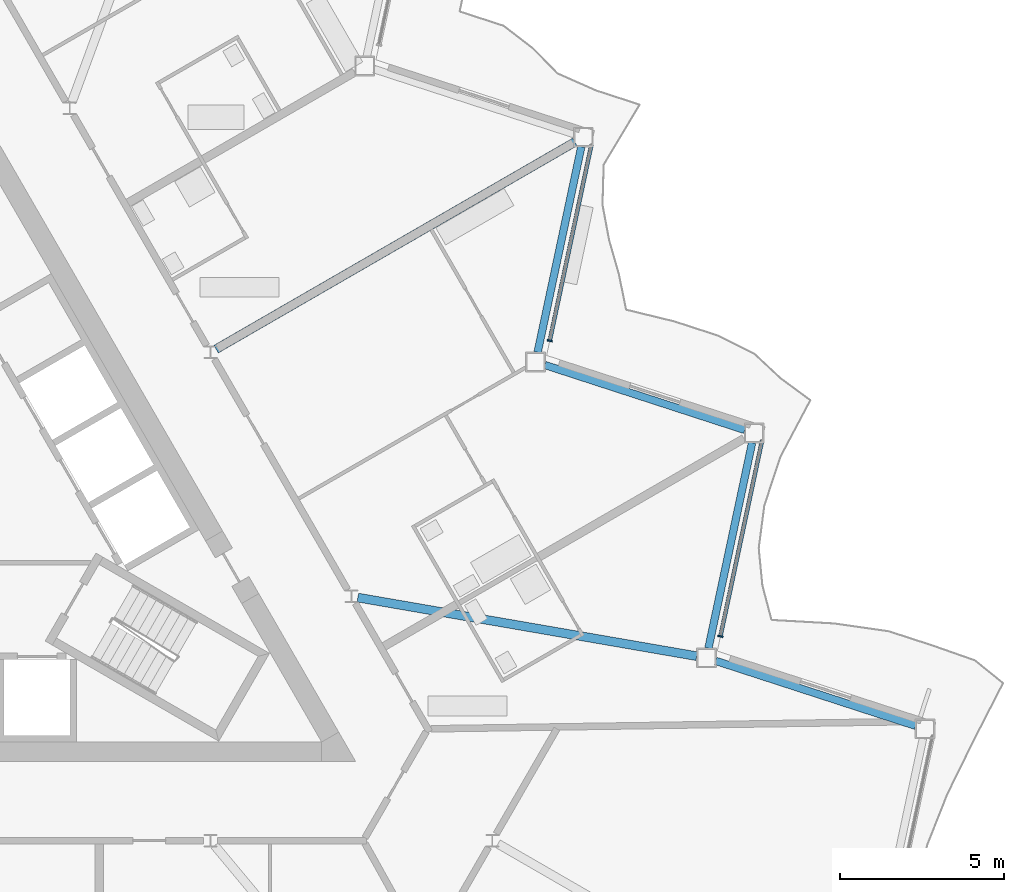
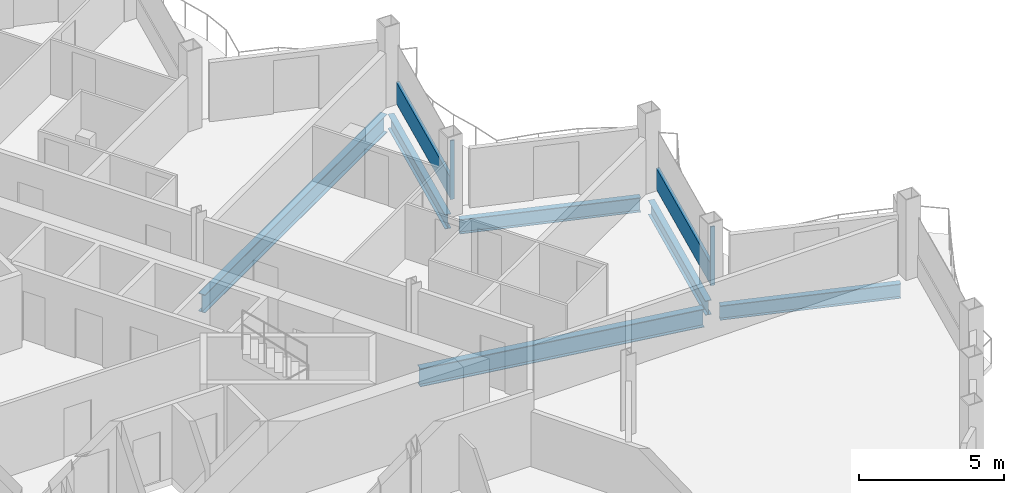
# One storey, part 9 of 26: 6 beams, 4 members, 2 elements without a shape of their own.
"""IFC4 building model written with IfcOpenShell, lengths in metres."""

import ifcopenshell
import ifcopenshell.guid

model = None  # the IFC model being written
_history = None  # IfcOwnerHistory: only IFC2X3 demands one
_inside = {}  # id of a spatial element -> (the spatial element, [elements in it])
_under = {}  # id of a project, library or spatial element -> (it, [spatial elements below it])
_declared = {}  # id of a project -> (the project, [libraries it declares])
_typed = {}  # id of a type object -> (the type object, [elements of that type])
_made_of = {}  # id of a material, layer set ... -> (it, [elements and type objects made of it])


def new_model(schema):
    """Start an empty IFC model of exactly this schema.

    Asked for "IFC4X3", IfcOpenShell would pick the latest addendum, in which some entities
    have other attributes; the version numbers below select the first issue.
    IFC2X3 requires an IfcOwnerHistory on every rooted entity: one is made here for all.
    """
    global model, _history
    if schema == "IFC4X3":
        model = ifcopenshell.file(schema_version=(4, 3, 0, 0))
    else:
        model = ifcopenshell.file(schema=schema)
    _inside.clear()
    _under.clear()
    _declared.clear()
    _typed.clear()
    _made_of.clear()
    _history = None
    if model.schema == "IFC2X3":
        org = make("IfcOrganization", Name="unknown")
        user = make(
            "IfcPersonAndOrganization",
            ThePerson=make("IfcPerson", FamilyName="unknown"),
            TheOrganization=org,
        )
        app = make(
            "IfcApplication",
            ApplicationDeveloper=org,
            Version="unknown",
            ApplicationFullName="unknown",
            ApplicationIdentifier="unknown",
        )
        _history = make(
            "IfcOwnerHistory",
            OwningUser=user,
            OwningApplication=app,
            ChangeAction="ADDED",
            CreationDate=0,
        )
    return model


def make(cls, **values):
    """One entity of the class cls with the attributes given. An attribute that is None is left unset."""
    return model.create_entity(
        cls, **{name: value for name, value in values.items() if value is not None}
    )


def rooted(cls, **values):
    """An entity with a GlobalId (a new one), such as an element, a storey or a relation."""
    return make(cls, GlobalId=ifcopenshell.guid.new(), OwnerHistory=_history, **values)


def si_unit(unit_type, name, prefix=None):
    """IfcSIUnit, for example si_unit("LENGTHUNIT", "METRE", prefix="MILLI")."""
    return make("IfcSIUnit", UnitType=unit_type, Prefix=prefix, Name=name)


def assignment(units):
    """IfcUnitAssignment: the units of a project."""
    return None if units is None else make("IfcUnitAssignment", Units=units)


def point(xyz):
    """IfcCartesianPoint."""
    return None if xyz is None else make("IfcCartesianPoint", Coordinates=xyz)


def direction(xyz):
    """IfcDirection."""
    return None if xyz is None else make("IfcDirection", DirectionRatios=xyz)


def frame(location, z_axis=None, x_axis=None):
    """IfcAxis2Placement3D, a coordinate frame: its origin and axes. An axis left out is left unset."""
    return make(
        "IfcAxis2Placement3D",
        Location=point(location),
        Axis=direction(z_axis),
        RefDirection=direction(x_axis),
    )


def frame_2d(location, x_axis=None):
    """IfcAxis2Placement2D, a coordinate frame in the plane: its origin and x axis."""
    return make(
        "IfcAxis2Placement2D", Location=point(location), RefDirection=direction(x_axis)
    )


def origin():
    """The frame at (0, 0, 0) with its axes left unset."""
    return frame((0.0, 0.0, 0.0))


def origin_2d():
    """The frame at (0, 0) in the plane with its x axis left unset."""
    return frame_2d((0.0, 0.0))


def place(relative_to, where):
    """IfcLocalPlacement: puts the frame where relative to a parent placement (None: the world)."""
    return make(
        "IfcLocalPlacement", PlacementRelTo=relative_to, RelativePlacement=where
    )


def context(
    kind, dimensions, precision=None, world=None, true_north=None, identifier=None
):
    """IfcGeometricRepresentationContext, for example the 3D "Model" context."""
    return make(
        "IfcGeometricRepresentationContext",
        ContextIdentifier=identifier,
        ContextType=kind,
        CoordinateSpaceDimension=dimensions,
        Precision=precision,
        WorldCoordinateSystem=world,
        TrueNorth=true_north,
    )


def subcontext(parent, identifier, kind, view, scale=None):
    """IfcGeometricRepresentationSubContext, for example "Body" below "Model"."""
    return make(
        "IfcGeometricRepresentationSubContext",
        ContextIdentifier=identifier,
        ContextType=kind,
        ParentContext=parent,
        TargetScale=scale,
        TargetView=view,
    )


def project(units=None, contexts=None):
    """IfcProject with its units and contexts."""
    return rooted(
        "IfcProject",
        Name="project",
        RepresentationContexts=contexts,
        UnitsInContext=assignment(units),
    )


def spatial(cls, under=None, at=None, **own):
    """A site, building, storey or space (cls), placed at a placement, below another one or the project."""
    s = rooted(cls, ObjectPlacement=at, **own)
    if under is not None:
        _under.setdefault(under.id(), (under, []))[1].append(s)
    return s


def profile(cls, at=None, kind="AREA", **sizes):
    """A parametric profile (cls). Its sizes go by their IFC names, for example OverallWidth=200.0."""
    return make(cls, ProfileType=kind, Position=at, **sizes)


def rectangle(**sizes):
    """IfcRectangleProfileDef."""
    return profile("IfcRectangleProfileDef", **sizes)


def i_section(**sizes):
    """IfcIShapeProfileDef."""
    return profile("IfcIShapeProfileDef", **sizes)


def extrude(swept, where, along, depth):
    """IfcExtrudedAreaSolid: the profile swept, set in the frame where, extruded along a direction by depth."""
    return make(
        "IfcExtrudedAreaSolid",
        SweptArea=swept,
        Position=where,
        ExtrudedDirection=direction(along),
        Depth=depth,
    )


def shape(context_of_items, identifier, shape_type, items):
    """IfcShapeRepresentation: the items that make up one representation, for example the "Body"."""
    return make(
        "IfcShapeRepresentation",
        ContextOfItems=context_of_items,
        RepresentationIdentifier=identifier,
        RepresentationType=shape_type,
        Items=items,
    )


def material(Name=None, Category=None):
    """IfcMaterial."""
    return make("IfcMaterial", Name=Name, Category=Category)


def layer(
    of_material, thickness, ventilated=None, Name=None, Category=None, Priority=None
):
    """IfcMaterialLayer: one layer of a wall or slab, of a material (None: an air gap)."""
    return make(
        "IfcMaterialLayer",
        Material=of_material,
        LayerThickness=thickness,
        IsVentilated=ventilated,
        Name=Name,
        Category=Category,
        Priority=Priority,
    )


def layer_set(layers, Name=None):
    """IfcMaterialLayerSet."""
    return make("IfcMaterialLayerSet", MaterialLayers=layers, LayerSetName=Name)


def material_profile(
    of_material, cross_section, Name=None, Category=None, Priority=None
):
    """IfcMaterialProfile: a cross section and its material."""
    return make(
        "IfcMaterialProfile",
        Name=Name,
        Material=of_material,
        Profile=cross_section,
        Priority=Priority,
        Category=Category,
    )


def profile_set(profiles, Name=None, composite=None):
    """IfcMaterialProfileSet."""
    return make(
        "IfcMaterialProfileSet",
        Name=Name,
        MaterialProfiles=profiles,
        CompositeProfile=composite,
    )


def made_of(thing, what):
    """Note that an element or type object is made of a material, layer set ...; save() writes the relation."""
    if what is not None:
        _made_of.setdefault(what.id(), (what, []))[1].append(thing)
    return thing


def type_object(cls, material=None, **own):
    """A type object (cls), such as IfcWallType, which elements share."""
    return made_of(rooted(cls, **own), material)


def element(
    cls,
    number,
    at=None,
    inside=None,
    cuts=None,
    type_object=None,
    material=None,
    context=None,
    identifier="Body",
    shape_type=None,
    held_by="IfcProductDefinitionShape",
    body=None,
    shapes=None,
    **own,
):
    """One element of the class cls, such as IfcWall. Its Tag is "e" and its number.

    at: its placement. inside: the storey or other place that contains it. cuts: it is an
    opening in that element (IfcRelVoidsElement). A single representation is given by context,
    identifier, shape_type and body (its items); several are given by shapes. held_by: the class
    of the entity that holds the representations. save() writes the other relations.
    """
    e = rooted(cls, Tag="e%d" % number, ObjectPlacement=at, **own)
    if body is not None:
        shapes = [shape(context, identifier, shape_type, body)]
    if shapes is not None:
        e.Representation = make(held_by, Representations=shapes)
    if inside is not None:
        _inside.setdefault(inside.id(), (inside, []))[1].append(e)
    if cuts is not None:
        rooted(
            "IfcRelVoidsElement", RelatingBuildingElement=cuts, RelatedOpeningElement=e
        )
    if type_object is not None:
        _typed.setdefault(type_object.id(), (type_object, []))[1].append(e)
    return made_of(e, material)


def aggregate(whole, parts):
    """IfcRelAggregates: a whole, such as a stair, and the parts it consists of."""
    return rooted("IfcRelAggregates", RelatingObject=whole, RelatedObjects=parts)


def save(model, path):
    """Write the relations noted so far, then the file.

    IfcRelAggregates (storeys below a building ...), IfcRelContainedInSpatialStructure (elements
    in a storey), IfcRelDefinesByType, IfcRelAssociatesMaterial and IfcRelDeclares: one each for
    every whole, place, type object, material and project.
    """
    for whole, parts in _under.values():
        aggregate(whole, parts)
    for where, things in _inside.values():
        rooted(
            "IfcRelContainedInSpatialStructure",
            RelatedElements=things,
            RelatingStructure=where,
        )
    for kind, things in _typed.values():
        rooted("IfcRelDefinesByType", RelatedObjects=things, RelatingType=kind)
    for what, things in _made_of.values():
        rooted("IfcRelAssociatesMaterial", RelatedObjects=things, RelatingMaterial=what)
    for by, libraries in _declared.values():
        rooted("IfcRelDeclares", RelatingContext=by, RelatedDefinitions=libraries)
    model.write(path)


model = new_model("IFC4")

# Units and contexts
model_context = context("Model", 3, precision=1e-05, world=origin(), true_north=direction((0.0, 1.0)))
body_context = subcontext(model_context, "Body", "Model", "MODEL_VIEW")
ifc_project = project(units=[si_unit("LENGTHUNIT", "METRE"), si_unit("AREAUNIT", "SQUARE_METRE"), si_unit("VOLUMEUNIT", "CUBIC_METRE"), si_unit("PLANEANGLEUNIT", "RADIAN"), si_unit("MASSUNIT", "GRAM", prefix="KILO")], contexts=[model_context])

# Site, building, storey
site_placement = place(None, origin())
site = spatial("IfcSite", under=ifc_project, at=site_placement, CompositionType="ELEMENT")
building_placement = place(site_placement, origin())
building = spatial("IfcBuilding", under=site, at=building_placement, Name="Cormorant Prow Tower", CompositionType="ELEMENT")
storey_placement = place(building_placement, frame((0.0, 0.0, 329.0)))
storey = spatial("IfcBuildingStorey", under=building, at=storey_placement, Name="L73", CompositionType="ELEMENT", Elevation=329.0)

# Beams
ifc_material_1 = material(Name="Structural steel ASTM A992 Gr 50", Category="steel")
ifc_material_profile_1 = material_profile(ifc_material_1, i_section(OverallWidth=0.267822265625, OverallDepth=0.77001953125, WebThickness=0.015625, FlangeThickness=0.025390625, at=origin_2d()), Name="W30x132")
ifc_profile_set_1 = profile_set([ifc_material_profile_1], Name="Structural steel ASTM A992 Gr 50")
beam_type_1 = type_object("IfcBeamType", Name="Radial floor beam W30x132", PredefinedType="BEAM", material=ifc_profile_set_1)
beam_1_placement = place(storey_placement, frame((13.0625, -2.510009765625, -0.68505859375), z_axis=(0.985379592304, -0.170373293304, 0.0), x_axis=(0.170373293304, 0.985379592304, 0.0)))
element("IfcBeam", 1, at=beam_1_placement, inside=storey, type_object=beam_type_1, Name="Radial floor beam FB3 10 L73", PredefinedType="BEAM", context=body_context, shape_type="SweptSolid", body=[
    extrude(i_section(OverallWidth=0.267822265625, OverallDepth=0.77001953125, WebThickness=0.015625, FlangeThickness=0.025390625, at=origin_2d()), origin(), (0.0, 0.0, 1.0), 10.465087890625),
])
beam_2_placement = place(storey_placement, frame((8.749755859375, 5.051513671875, -0.68505859375), z_axis=(0.866021086443, 0.50000747778, 0.0), x_axis=(-0.50000747778, 0.866021086443, 0.0)))
element("IfcBeam", 2, at=beam_2_placement, inside=storey, type_object=beam_type_1, Name="Radial floor beam FB3 11 L73", PredefinedType="BEAM", context=body_context, shape_type="SweptSolid", body=[
    extrude(i_section(OverallWidth=0.267822265625, OverallDepth=0.77001953125, WebThickness=0.015625, FlangeThickness=0.025390625, at=origin_2d()), origin(), (0.0, 0.0, 1.0), 12.604736328125),
])

# Curtain wall, member
ifc_material_2 = material(Name="Aluminium 6063-T6", Category="aluminium")
ifc_layer = layer(ifc_material_2, 0.159912109375)
ifc_layer_set = layer_set([ifc_layer], Name="Aluminium 6063-T6")
curtain_wall_type = type_object("IfcCurtainWallType", Name="Residential unitised curtain wall 160", PredefinedType="NOTDEFINED", material=ifc_layer_set)
curtain_wall_1_placement = place(storey_placement, origin())
curtain_wall_1 = element("IfcCurtainWall", 3, at=curtain_wall_1_placement, inside=storey, type_object=curtain_wall_type, Name="Residential curtain wall ENE02", PredefinedType="NOTDEFINED")
ifc_material_3 = material(Name="Aluminium 6063-T6", Category="aluminium")
ifc_material_profile_2 = material_profile(ifc_material_3, rectangle(XDim=0.159912109375, YDim=0.050048828125, at=origin_2d()), Name="Residential mullion 50x160")
ifc_profile_set_2 = profile_set([ifc_material_profile_2], Name="Aluminium 6063-T6")
member_type_1 = type_object("IfcMemberType", Name="Residential mullion 50x160", PredefinedType="MULLION", material=ifc_profile_set_2)
member_1_placement = place(storey_placement, frame((24.097900390625, -3.688232421875, 0.0), z_axis=(0.0, 0.0, 1.0), x_axis=(-0.978147600676, 0.207911691091, 0.0)))
member_1 = element("IfcMember", 4, at=member_1_placement, type_object=member_type_1, Name="Residential mullion ENE02", PredefinedType="MULLION", context=body_context, shape_type="SweptSolid", body=[
    extrude(rectangle(XDim=0.159912109375, YDim=0.050048828125, at=origin_2d()), origin(), (0.0, 0.0, 1.0), 2.48779296875),
])

curtain_wall_2_placement = place(storey_placement, origin())
curtain_wall_2 = element("IfcCurtainWall", 5, at=curtain_wall_2_placement, inside=storey, type_object=curtain_wall_type, Name="Residential curtain wall ENE04", PredefinedType="NOTDEFINED")
member_2_placement = place(storey_placement, frame((18.903076171875, 5.309326171875, 0.0), z_axis=(0.0, 0.0, 1.0), x_axis=(-0.978147600676, 0.207911691091, 0.0)))
member_2 = element("IfcMember", 6, at=member_2_placement, type_object=member_type_1, Name="Residential mullion ENE04", PredefinedType="MULLION", context=body_context, shape_type="SweptSolid", body=[
    extrude(rectangle(XDim=0.159912109375, YDim=0.050048828125, at=origin_2d()), origin(), (0.0, 0.0, 1.0), 2.48779296875),
])

# Member
ifc_material_4 = material(Name="Terracotta", Category="masonry")
ifc_material_profile_3 = material_profile(ifc_material_4, rectangle(XDim=0.1201171875, YDim=0.89990234375, at=origin_2d()), Name="Residential terracotta spandrel rail 120x900")
ifc_profile_set_3 = profile_set([ifc_material_profile_3], Name="Terracotta")
member_type_2 = type_object("IfcMemberType", Name="Residential terracotta spandrel rail 120x900", PredefinedType="USERDEFINED", material=ifc_profile_set_3)
member_3_placement = place(storey_placement, frame((24.10302734375, -3.663818359375, 0.449951171875), z_axis=(0.207908765956, 0.978148222428, 0.0), x_axis=(-0.978148222428, 0.207908765956, 0.0)))
member_3 = element("IfcMember", 7, at=member_3_placement, type_object=member_type_2, Name="Residential spandrel rail ENE02", ObjectType="TRANSOM", PredefinedType="USERDEFINED", context=body_context, shape_type="SweptSolid", body=[
    extrude(rectangle(XDim=0.1201171875, YDim=0.89990234375, at=origin_2d()), origin(), (0.0, 0.0, 1.0), 6.072021484375),
])

aggregate(curtain_wall_1, [member_1, member_3])

member_4_placement = place(storey_placement, frame((18.908447265625, 5.333740234375, 0.449951171875), z_axis=(0.207908765956, 0.978148222428, 0.0), x_axis=(-0.978148222428, 0.207908765956, 0.0)))
member_4 = element("IfcMember", 8, at=member_4_placement, type_object=member_type_2, Name="Residential spandrel rail ENE04", ObjectType="TRANSOM", PredefinedType="USERDEFINED", context=body_context, shape_type="SweptSolid", body=[
    extrude(rectangle(XDim=0.1201171875, YDim=0.89990234375, at=origin_2d()), origin(), (0.0, 0.0, 1.0), 6.072021484375),
])

aggregate(curtain_wall_2, [member_2, member_4])

# Beams
ifc_material_5 = material(Name="Structural steel ASTM A992 Gr 50", Category="steel")
ifc_material_profile_4 = material_profile(ifc_material_5, i_section(OverallWidth=0.22900390625, OverallDepth=0.612060546875, WebThickness=0.011962890625, FlangeThickness=0.01953125, at=origin_2d()), Name="W24x84")
ifc_profile_set_4 = profile_set([ifc_material_profile_4], Name="Structural steel ASTM A992 Gr 50")
beam_type_2 = type_object("IfcBeamType", Name="Spandrel beam W24x84", PredefinedType="SPANDREL", material=ifc_profile_set_4)
beam_3_placement = place(storey_placement, frame((30.038330078125, -6.413330078125, -0.60595703125), z_axis=(-0.951064359156, 0.308992855489, 0.0), x_axis=(-0.308992855489, -0.951064359156, 0.0)))
element("IfcBeam", 9, at=beam_3_placement, inside=storey, type_object=beam_type_2, Name="Spandrel beam SB3 ENE01-ENE02 L73", PredefinedType="SPANDREL", context=body_context, shape_type="SweptSolid", body=[
    extrude(i_section(OverallWidth=0.22900390625, OverallDepth=0.612060546875, WebThickness=0.011962890625, FlangeThickness=0.01953125, at=origin_2d()), origin(), (0.0, 0.0, 1.0), 6.39599609375),
])
beam_4_placement = place(storey_placement, frame((23.732421875, -4.05078125, -0.60595703125), z_axis=(0.20791262393, 0.978147402394, 0.0), x_axis=(-0.978147402394, 0.20791262393, 0.0)))
element("IfcBeam", 10, at=beam_4_placement, inside=storey, type_object=beam_type_2, Name="Spandrel beam SB3 ENE02-ENE03 L73", PredefinedType="SPANDREL", context=body_context, shape_type="SweptSolid", body=[
    extrude(i_section(OverallWidth=0.22900390625, OverallDepth=0.612060546875, WebThickness=0.011962890625, FlangeThickness=0.01953125, at=origin_2d()), origin(), (0.0, 0.0, 1.0), 6.396240234375),
])
beam_5_placement = place(storey_placement, frame((24.83935546875, 2.591796875, -0.60595703125), z_axis=(-0.951064359156, 0.308992855489, 0.0), x_axis=(-0.308992855489, -0.951064359156, 0.0)))
element("IfcBeam", 11, at=beam_5_placement, inside=storey, type_object=beam_type_2, Name="Spandrel beam SB3 ENE03-ENE04 L73", PredefinedType="SPANDREL", context=body_context, shape_type="SweptSolid", body=[
    extrude(i_section(OverallWidth=0.22900390625, OverallDepth=0.612060546875, WebThickness=0.011962890625, FlangeThickness=0.01953125, at=origin_2d()), origin(), (0.0, 0.0, 1.0), 6.39599609375),
])
beam_6_placement = place(storey_placement, frame((18.533447265625, 4.954345703125, -0.60595703125), z_axis=(0.20791262393, 0.978147402394, 0.0), x_axis=(-0.978147402394, 0.20791262393, 0.0)))
element("IfcBeam", 12, at=beam_6_placement, inside=storey, type_object=beam_type_2, Name="Spandrel beam SB3 ENE04-ENE05 L73", PredefinedType="SPANDREL", context=body_context, shape_type="SweptSolid", body=[
    extrude(i_section(OverallWidth=0.22900390625, OverallDepth=0.612060546875, WebThickness=0.011962890625, FlangeThickness=0.01953125, at=origin_2d()), origin(), (0.0, 0.0, 1.0), 6.396240234375),
])

save(model, "model.ifc")
